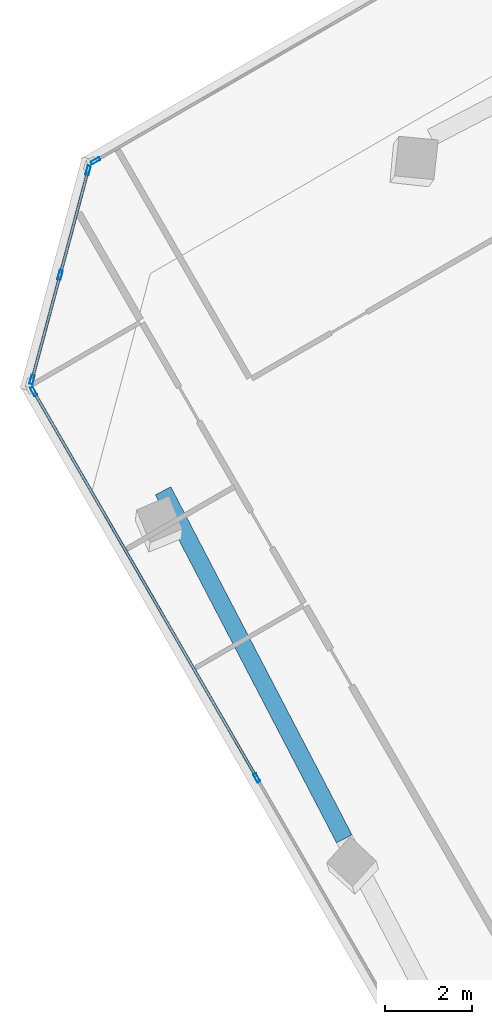
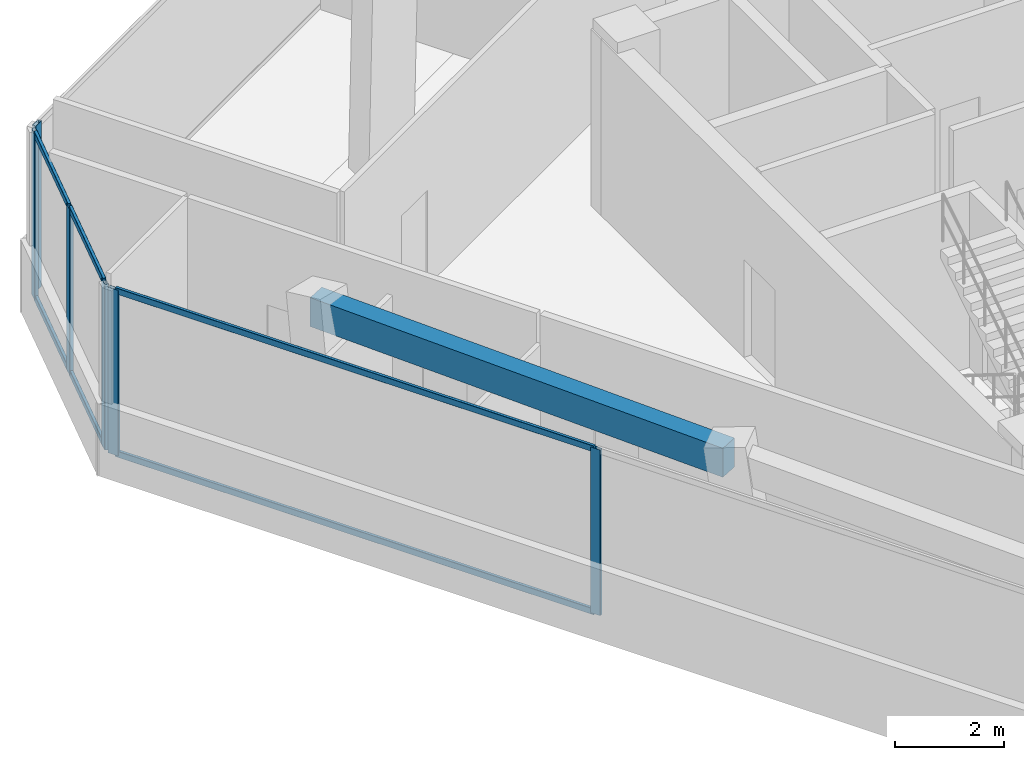
# One storey, part 4 of 15: 12 members, 1 beam, 3 elements without a shape of their own.
"""IFC4 building model written with IfcOpenShell, lengths in metres."""

from ifc_helpers import new_model, si_unit, direction, frame, origin, origin_2d, place, context, subcontext, project, spatial, rectangle, hollow_rectangle, extrude, source, transform, mapped, material, material_profile, profile_set, type_object, element, aggregate, save


model = new_model("IFC4")

# Units and contexts
model_context = context("Model", 3, precision=1e-05, world=origin(), true_north=direction((0.0, 1.0)))
body_context = subcontext(model_context, "Body", "Model", "MODEL_VIEW")
ifc_project = project(units=[si_unit("LENGTHUNIT", "METRE"), si_unit("AREAUNIT", "SQUARE_METRE"), si_unit("VOLUMEUNIT", "CUBIC_METRE"), si_unit("PLANEANGLEUNIT", "RADIAN"), si_unit("MASSUNIT", "GRAM", prefix="KILO")], contexts=[model_context])

# Site, building, storey
site_placement = place(None, origin())
site = spatial("IfcSite", under=ifc_project, at=site_placement, CompositionType="ELEMENT")
building_placement = place(site_placement, origin())
building = spatial("IfcBuilding", under=site, at=building_placement, Name="Torre Montelarca", CompositionType="ELEMENT")
storey_placement = place(building_placement, frame((0.0, 0.0, 324.0)))
storey = spatial("IfcBuildingStorey", under=building, at=storey_placement, Name="L73", CompositionType="ELEMENT", Elevation=324.0)

# Beam
ifc_material_1 = material(Name="Concrete C40/50", Category="concrete")
ifc_material_profile_1 = material_profile(ifc_material_1, rectangle(XDim=0.39990234375, YDim=0.64990234375, at=origin_2d()), Name="RCB400X650", Category="concrete")
ifc_profile_set_1 = profile_set([ifc_material_profile_1], Name="Concrete C40/50")
beam_type = type_object("IfcBeamType", Name="BM-SP-RC650-EXT", PredefinedType="SPANDREL", material=ifc_profile_set_1)
shared_shape_1 = source(origin(), body_context, "Body", "SweptSolid", [
    extrude(rectangle(XDim=0.39990234375, YDim=0.64990234375, at=origin_2d()), origin(), (0.0, 0.0, 1.0), 8.999755859375),
])
beam_placement = place(storey_placement, frame((0.4716796875, 35.1455078125, 3.635009765625), z_axis=(0.4617379111, -0.887016404275, 0.0), x_axis=(0.887016404275, 0.4617379111, 0.0)))
element("IfcBeam", 1, at=beam_placement, inside=storey, type_object=beam_type, Name="L73 Grid Girder X 9.0-18.0 at Y=14.8", PredefinedType="SPANDREL", context=body_context, shape_type="MappedRepresentation", body=[
    mapped(shared_shape_1, transform((0.0, 0.0, 0.0), scale=1.0)),
])

# Curtain wall, members
ifc_material_2 = material(Name="Insulated low-E laminated glass", Category="glass")
curtain_wall_type = type_object("IfcCurtainWallType", Name="CW-SYS-Z4", PredefinedType="USERDEFINED", material=ifc_material_2)
curtain_wall_1_placement = place(storey_placement, origin())
curtain_wall_1 = element("IfcCurtainWall", 2, at=curtain_wall_1_placement, inside=storey, type_object=curtain_wall_type, Name="L73 Curtain Wall Run CW-T3-L73-E01-B1", ObjectType="UNITISED GLAZING", PredefinedType="USERDEFINED")
ifc_material_3 = material(Name="Anodised aluminium AA 6063-T6", Category="aluminium")
ifc_material_profile_2 = material_profile(ifc_material_3, hollow_rectangle(XDim=0.074951171875, YDim=0.219970703125, WallThickness=0.0048828125, InnerFilletRadius=0.0048828125, OuterFilletRadius=0.010009765625, at=origin_2d()), Name="ALU75X220X5", Category="aluminium")
ifc_profile_set_2 = profile_set([ifc_material_profile_2], Name="Anodised aluminium AA 6063-T6")
member_type_1 = type_object("IfcMemberType", Name="CWM-ALU220", PredefinedType="MULLION", material=ifc_profile_set_2)
shared_shape_2 = source(origin(), body_context, "Body", "SweptSolid", [
    extrude(hollow_rectangle(XDim=0.074951171875, YDim=0.219970703125, WallThickness=0.0048828125, InnerFilletRadius=0.0048828125, OuterFilletRadius=0.010009765625, at=origin_2d()), origin(), (0.0, 0.0, 1.0), 3.719970703125),
])
member_1_placement = place(storey_placement, frame((-2.49755859375, 37.4248046875, 0.0), z_axis=(0.0, 0.0, 1.0), x_axis=(0.866025286839, 0.500000202556, 0.0)))
member_1 = element("IfcMember", 3, at=member_1_placement, type_object=member_type_1, Name="CW mullion 1", PredefinedType="MULLION", context=body_context, shape_type="MappedRepresentation", body=[
    mapped(shared_shape_2, transform((0.0, 0.0, 0.0), scale=1.0)),
])
member_2_placement = place(storey_placement, frame((2.620849609375, 28.559326171875, 0.0), z_axis=(0.0, 0.0, 1.0), x_axis=(0.866025286839, 0.500000202556, 0.0)))
member_2 = element("IfcMember", 4, at=member_2_placement, type_object=member_type_1, Name="CW mullion 2", PredefinedType="MULLION", context=body_context, shape_type="MappedRepresentation", body=[
    mapped(shared_shape_2, transform((0.0, 0.0, 0.0), scale=1.0)),
])

# Curtain wall, member
curtain_wall_2_placement = place(storey_placement, origin())
curtain_wall_2 = element("IfcCurtainWall", 5, at=curtain_wall_2_placement, inside=storey, type_object=curtain_wall_type, Name="L73 Curtain Wall Run CW-T3-L73-E10-B1", ObjectType="UNITISED GLAZING", PredefinedType="USERDEFINED")
member_3_placement = place(storey_placement, frame((-1.079833984375, 42.7158203125, 0.0), z_axis=(0.0, 0.0, 1.0), x_axis=(0.500000111201, -0.866025339582, 0.0)))
member_3 = element("IfcMember", 6, at=member_3_placement, type_object=member_type_1, Name="CW mullion 3", PredefinedType="MULLION", context=body_context, shape_type="MappedRepresentation", body=[
    mapped(shared_shape_2, transform((0.0, 0.0, 0.0), scale=1.0)),
])
aggregate(curtain_wall_2, [member_3])

# Curtain wall, members
curtain_wall_3_placement = place(storey_placement, origin())
curtain_wall_3 = element("IfcCurtainWall", 7, at=curtain_wall_3_placement, inside=storey, type_object=curtain_wall_type, Name="L73 Curtain Wall Run CW-T3-L73-E11-B1", ObjectType="UNITISED GLAZING", PredefinedType="USERDEFINED")
member_4_placement = place(storey_placement, frame((-1.247802734375, 42.49658203125, 0.0), z_axis=(0.0, 0.0, 1.0), x_axis=(0.965926805359, -0.258815391137, 0.0)))
member_4 = element("IfcMember", 8, at=member_4_placement, type_object=member_type_1, Name="CW mullion 1", PredefinedType="MULLION", context=body_context, shape_type="MappedRepresentation", body=[
    mapped(shared_shape_2, transform((0.0, 0.0, 0.0), scale=1.0)),
])
member_5_placement = place(storey_placement, frame((-1.890625, 40.09765625, 0.0), z_axis=(0.0, 0.0, 1.0), x_axis=(0.965926805359, -0.258815391137, 0.0)))
member_5 = element("IfcMember", 9, at=member_5_placement, type_object=member_type_1, Name="CW mullion 2", PredefinedType="MULLION", context=body_context, shape_type="MappedRepresentation", body=[
    mapped(shared_shape_2, transform((0.0, 0.0, 0.0), scale=1.0)),
])
member_6_placement = place(storey_placement, frame((-2.533447265625, 37.69873046875, 0.0), z_axis=(0.0, 0.0, 1.0), x_axis=(0.965926805359, -0.258815391137, 0.0)))
member_6 = element("IfcMember", 10, at=member_6_placement, type_object=member_type_1, Name="CW mullion 3", PredefinedType="MULLION", context=body_context, shape_type="MappedRepresentation", body=[
    mapped(shared_shape_2, transform((0.0, 0.0, 0.0), scale=1.0)),
])
ifc_material_profile_3 = material_profile(ifc_material_3, hollow_rectangle(XDim=0.06494140625, YDim=0.139892578125, WallThickness=0.00390625, InnerFilletRadius=0.00390625, OuterFilletRadius=0.008056640625, at=origin_2d()), Name="ALU65X140X4", Category="aluminium")
ifc_profile_set_3 = profile_set([ifc_material_profile_3], Name="Anodised aluminium AA 6063-T6")
member_type_2 = type_object("IfcMemberType", Name="CWT-ALU140", PredefinedType="USERDEFINED", material=ifc_profile_set_3)
shared_shape_3 = source(origin(), body_context, "Body", "SweptSolid", [
    extrude(hollow_rectangle(XDim=0.06494140625, YDim=0.139892578125, WallThickness=0.00390625, InnerFilletRadius=0.00390625, OuterFilletRadius=0.008056640625, at=origin_2d()), origin(), (0.0, 0.0, 1.0), 2.40869140625),
])
member_7_placement = place(storey_placement, frame((-1.257568359375, 42.46044921875, 0.032470703125), z_axis=(-0.25886105055, -0.965914569984, 0.0), x_axis=(0.965914569984, -0.25886105055, 0.0)))
member_7 = element("IfcMember", 11, at=member_7_placement, type_object=member_type_2, Name="CW transom 1.1", ObjectType="TRANSOM", PredefinedType="USERDEFINED", context=body_context, shape_type="MappedRepresentation", body=[
    mapped(shared_shape_3, transform((0.0, 0.0, 0.0), scale=1.0)),
])
member_8_placement = place(storey_placement, frame((-1.257568359375, 42.46044921875, 3.6875), z_axis=(-0.25886105055, -0.965914569984, 0.0), x_axis=(0.965914569984, -0.25886105055, 0.0)))
member_8 = element("IfcMember", 12, at=member_8_placement, type_object=member_type_2, Name="CW transom 1.2", ObjectType="TRANSOM", PredefinedType="USERDEFINED", context=body_context, shape_type="MappedRepresentation", body=[
    mapped(shared_shape_3, transform((0.0, 0.0, 0.0), scale=1.0)),
])
shared_shape_4 = source(origin(), body_context, "Body", "SweptSolid", [
    extrude(hollow_rectangle(XDim=0.06494140625, YDim=0.139892578125, WallThickness=0.00390625, InnerFilletRadius=0.00390625, OuterFilletRadius=0.008056640625, at=origin_2d()), origin(), (0.0, 0.0, 1.0), 2.408447265625),
])
member_9_placement = place(storey_placement, frame((-1.900390625, 40.061279296875, 0.032470703125), z_axis=(-0.258791820458, -0.965933120699, 0.0), x_axis=(0.965933120699, -0.258791820458, 0.0)))
member_9 = element("IfcMember", 13, at=member_9_placement, type_object=member_type_2, Name="CW transom 2.1", ObjectType="TRANSOM", PredefinedType="USERDEFINED", context=body_context, shape_type="MappedRepresentation", body=[
    mapped(shared_shape_4, transform((0.0, 0.0, 0.0), scale=1.0)),
])
member_10_placement = place(storey_placement, frame((-1.900390625, 40.061279296875, 3.6875), z_axis=(-0.258791820458, -0.965933120699, 0.0), x_axis=(0.965933120699, -0.258791820458, 0.0)))
member_10 = element("IfcMember", 14, at=member_10_placement, type_object=member_type_2, Name="CW transom 2.2", ObjectType="TRANSOM", PredefinedType="USERDEFINED", context=body_context, shape_type="MappedRepresentation", body=[
    mapped(shared_shape_4, transform((0.0, 0.0, 0.0), scale=1.0)),
])
aggregate(curtain_wall_3, [member_4, member_5, member_6, member_7, member_8, member_9, member_10])

# Member
shared_shape_5 = source(origin(), body_context, "Body", "SweptSolid", [
    extrude(hollow_rectangle(XDim=0.06494140625, YDim=0.139892578125, WallThickness=0.00390625, InnerFilletRadius=0.00390625, OuterFilletRadius=0.008056640625, at=origin_2d()), origin(), (0.0, 0.0, 1.0), 10.162109375),
])
member_11_placement = place(storey_placement, frame((-2.478759765625, 37.392333984375, 0.032470703125), z_axis=(0.500004591975, -0.86602275259, 0.0), x_axis=(0.86602275259, 0.500004591975, 0.0)))
member_11 = element("IfcMember", 15, at=member_11_placement, type_object=member_type_2, Name="CW transom 1.1", ObjectType="TRANSOM", PredefinedType="USERDEFINED", context=body_context, shape_type="MappedRepresentation", body=[
    mapped(shared_shape_5, transform((0.0, 0.0, 0.0), scale=1.0)),
])

member_12_placement = place(storey_placement, frame((-2.478759765625, 37.392333984375, 3.6875), z_axis=(0.500004591975, -0.86602275259, 0.0), x_axis=(0.86602275259, 0.500004591975, 0.0)))
member_12 = element("IfcMember", 16, at=member_12_placement, type_object=member_type_2, Name="CW transom 1.2", ObjectType="TRANSOM", PredefinedType="USERDEFINED", context=body_context, shape_type="MappedRepresentation", body=[
    mapped(shared_shape_5, transform((0.0, 0.0, 0.0), scale=1.0)),
])

aggregate(curtain_wall_1, [member_1, member_2, member_11, member_12])

save(model, "model.ifc")
